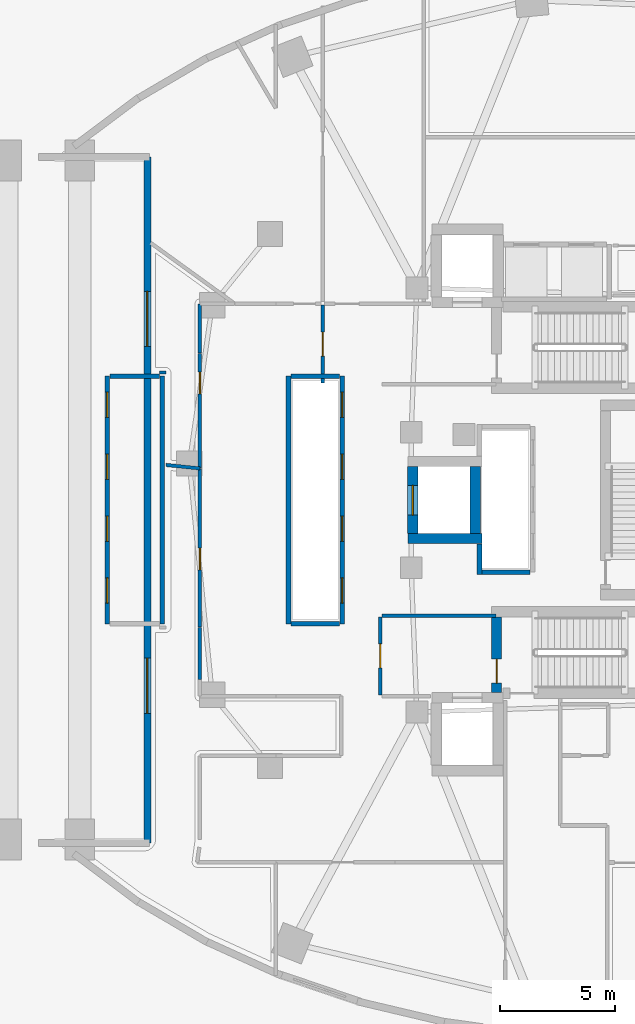
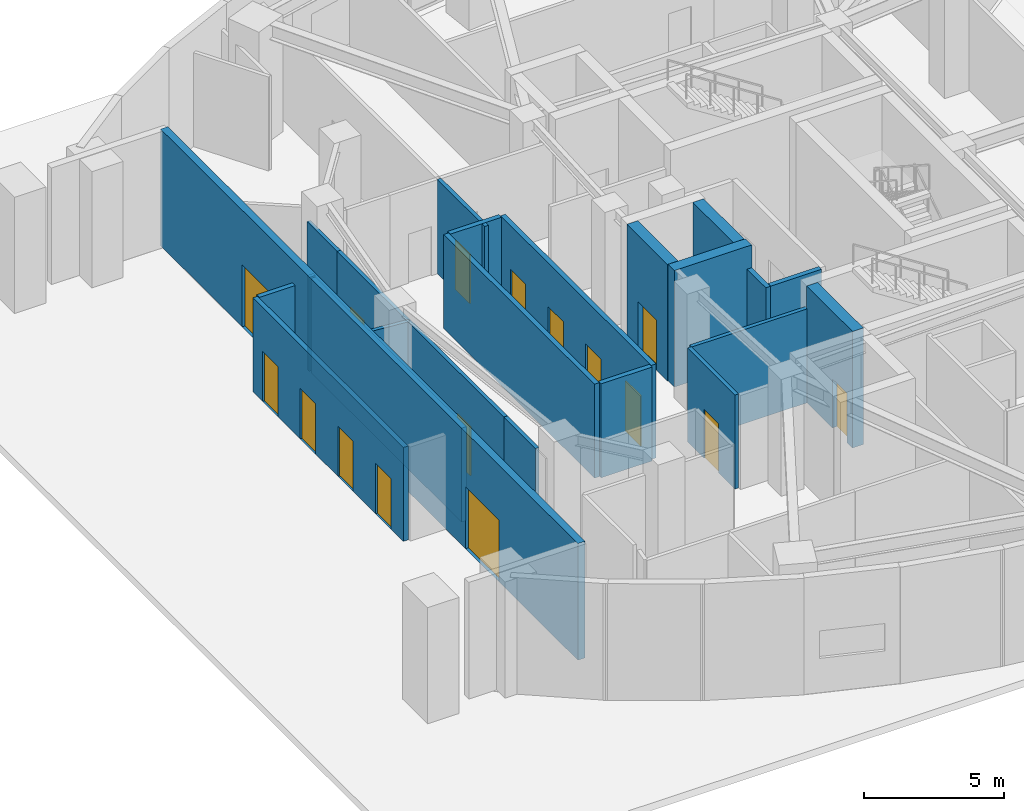
# One storey, part 18 of 28: 23 walls, 16 doors, 16 openings.
"""IFC4 building model written with IfcOpenShell, lengths in metres."""

from ifc_helpers import new_model, si_unit, direction, frame, frame_2d, origin, place, context, subcontext, project, spatial, rectangle, extrude, material, layer, layer_set, type_object, element, fill, save


model = new_model("IFC4")

# Units and contexts
model_context = context("Model", 3, precision=1e-05, world=origin(), true_north=direction((0.0, 1.0)))
body_context = subcontext(model_context, "Body", "Model", "MODEL_VIEW")
ifc_project = project(units=[si_unit("LENGTHUNIT", "METRE"), si_unit("AREAUNIT", "SQUARE_METRE"), si_unit("VOLUMEUNIT", "CUBIC_METRE"), si_unit("PLANEANGLEUNIT", "RADIAN"), si_unit("MASSUNIT", "GRAM", prefix="KILO")], contexts=[model_context])

# Site, building, storey
site_placement = place(None, origin())
site = spatial("IfcSite", under=ifc_project, at=site_placement, CompositionType="ELEMENT")
building_placement = place(site_placement, origin())
building = spatial("IfcBuilding", under=site, at=building_placement, Name="Korentha Bioscience Tower", CompositionType="ELEMENT")
storey_placement = place(building_placement, origin())
storey = spatial("IfcBuildingStorey", under=building, at=storey_placement, Name="L00", CompositionType="ELEMENT", Elevation=0.0)

# Wall, opening, door
ifc_material_1 = material(Name="Double-Stud Acoustic Gypsum", Category="gypsum")
ifc_layer_1 = layer(ifc_material_1, 0.14990234375, Name="Double-Stud Acoustic Gypsum")
ifc_layer_set_1 = layer_set([ifc_layer_1], Name="Double-Stud Acoustic Gypsum (IW-L150)")
wall_type_1 = type_object("IfcWallType", Name="Acoustic Laboratory Partition Wall 150", PredefinedType="PARTITIONING", material=ifc_layer_set_1)
wall_1_placement = place(storey_placement, frame((15.639892578125, 28.375732421875, 0.0), z_axis=(0.0, 0.0, 1.0), x_axis=(0.0, -1.0, 0.0)))
wall_1 = element("IfcWall", 1, at=wall_1_placement, inside=storey, type_object=wall_type_1, Name="L00 Ground Espresso & Bakery Cafe 01 Entrance Wall", PredefinedType="PARTITIONING", context=body_context, shape_type="SweptSolid", body=[
    extrude(rectangle(XDim=6.923583984375, YDim=0.14990234375, at=frame_2d((3.4619140625, 0.0))), origin(), (0.0, 0.0, 1.0), 4.110107421875),
])
opening_1_placement = place(wall_1_placement, frame((3.47509765625, 0.0, 0.0)))
opening_1 = element("IfcOpeningElement", 2, at=opening_1_placement, cuts=wall_1, Name="Opening ID-10L", PredefinedType="OPENING", context=body_context, shape_type="SweptSolid", body=[
    extrude(rectangle(XDim=0.949951171875, YDim=2.14990234375, at=frame_2d((0.47509765625, 1.074951171875))), frame((0.0, 0.08984375, 0.0), z_axis=(0.0, -1.0, 0.0), x_axis=(1.0, 0.0, 0.0)), (0.0, 0.0, 1.0), 0.1796875),
])
ifc_material_2 = material(Name="Phenolic Laminate Timber Core", Category="wood")
door_type_1 = type_object("IfcDoorType", Name="Laboratory Single Leaf Door 950x2150 Left", OperationType="SINGLE_SWING_LEFT", PredefinedType="DOOR", material=ifc_material_2)
door_1_placement = place(opening_1_placement, origin())
door_1 = element("IfcDoor", 3, at=door_1_placement, inside=storey, type_object=door_type_1, Name="L00 Ground Espresso & Bakery Cafe 01 Door", OperationType="SINGLE_SWING_LEFT", OverallHeight=2.14990234375, OverallWidth=0.949951171875, PredefinedType="DOOR", context=body_context, shape_type="SweptSolid", body=[
    extrude(rectangle(XDim=0.949951171875, YDim=2.14990234375, at=frame_2d((0.47509765625, 1.074951171875))), frame((0.0, 0.02490234375, 0.0), z_axis=(0.0, -1.0, 0.0), x_axis=(1.0, 0.0, 0.0)), (0.0, 0.0, 1.0), 0.050048828125),
])
fill(opening_1, door_1)

wall_2_placement = place(storey_placement, frame((15.639892578125, 33.39794921875, 0.0), z_axis=(0.0, 0.0, 1.0), x_axis=(0.0, -1.0, 0.0)))
wall_2 = element("IfcWall", 4, at=wall_2_placement, inside=storey, type_object=wall_type_1, Name="L00 Ground Espresso & Bakery Cafe 09 Entrance Wall", PredefinedType="PARTITIONING", context=body_context, shape_type="SweptSolid", body=[
    extrude(rectangle(XDim=5.011962890625, YDim=0.14990234375, at=frame_2d((2.505859375, 0.0))), origin(), (0.0, 0.0, 1.0), 4.110107421875),
])
opening_2_placement = place(wall_2_placement, frame((0.82470703125, 0.0, 0.0)))
opening_2 = element("IfcOpeningElement", 5, at=opening_2_placement, cuts=wall_2, Name="Opening ID-10L", PredefinedType="OPENING", context=body_context, shape_type="SweptSolid", body=[
    extrude(rectangle(XDim=0.949951171875, YDim=2.14990234375, at=frame_2d((0.47509765625, 1.074951171875))), frame((0.0, 0.08984375, 0.0), z_axis=(0.0, -1.0, 0.0), x_axis=(1.0, 0.0, 0.0)), (0.0, 0.0, 1.0), 0.1796875),
])
door_2_placement = place(opening_2_placement, origin())
door_2 = element("IfcDoor", 6, at=door_2_placement, inside=storey, type_object=door_type_1, Name="L00 Ground Espresso & Bakery Cafe 09 Door", OperationType="SINGLE_SWING_LEFT", OverallHeight=2.14990234375, OverallWidth=0.949951171875, PredefinedType="DOOR", context=body_context, shape_type="SweptSolid", body=[
    extrude(rectangle(XDim=0.949951171875, YDim=2.14990234375, at=frame_2d((0.47509765625, 1.074951171875))), frame((0.0, 0.02490234375, 0.0), z_axis=(0.0, -1.0, 0.0), x_axis=(1.0, 0.0, 0.0)), (0.0, 0.0, 1.0), 0.050048828125),
])
fill(opening_2, door_2)

# Walls
wall_3_placement = place(storey_placement, frame((14.16015625, 28.52880859375, 0.0), z_axis=(0.0, 0.0, 1.0), x_axis=(0.994708578353, -0.102736771168, 0.0)))
element("IfcWall", 7, at=wall_3_placement, inside=storey, type_object=wall_type_1, Name="L00 Interior Partition 023", PredefinedType="PARTITIONING", context=body_context, shape_type="SweptSolid", body=[
    extrude(rectangle(XDim=1.487548828125, YDim=0.14990234375, at=frame_2d((0.74365234375, 0.0))), origin(), (0.0, 0.0, 1.0), 4.110107421875),
])
wall_4_placement = place(storey_placement, frame((15.639892578125, 21.44775390625, 0.0), z_axis=(0.0, 0.0, 1.0), x_axis=(0.0, -1.0, 0.0)))
element("IfcWall", 8, at=wall_4_placement, inside=storey, type_object=wall_type_1, Name="L00 Interior Partition 024", PredefinedType="PARTITIONING", context=body_context, shape_type="SweptSolid", body=[
    extrude(rectangle(XDim=2.26806640625, YDim=0.14990234375, at=frame_2d((1.134033203125, 0.0))), origin(), (0.0, 0.0, 1.0), 4.110107421875),
])
wall_5_placement = place(storey_placement, frame((15.639892578125, 35.5458984375, 0.0), z_axis=(0.0, 0.0, 1.0), x_axis=(0.0, -1.0, 0.0)))
element("IfcWall", 9, at=wall_5_placement, inside=storey, type_object=wall_type_1, Name="L00 Interior Partition 049", PredefinedType="PARTITIONING", context=body_context, shape_type="SweptSolid", body=[
    extrude(rectangle(XDim=2.143798828125, YDim=0.14990234375, at=frame_2d((1.07177734375, 0.0))), origin(), (0.0, 0.0, 1.0), 4.110107421875),
])
wall_6_placement = place(storey_placement, frame((14.14990234375, 32.56005859375, 0.0), z_axis=(0.0, 0.0, 1.0), x_axis=(-1.0, 0.0, 0.0)))
element("IfcWall", 10, at=wall_6_placement, inside=storey, type_object=wall_type_1, Name="L00 Interior Partition 050", PredefinedType="PARTITIONING", context=body_context, shape_type="SweptSolid", body=[
    extrude(rectangle(XDim=0.27001953125, YDim=0.14990234375, at=frame_2d((0.135009765625, 0.0))), origin(), (0.0, 0.0, 1.0), 4.110107421875),
])

# Wall, opening, door
ifc_material_3 = material(Name="Gypsum-Clad Steel Stud", Category="steel")
ifc_layer_2 = layer(ifc_material_3, 0.159912109375, Name="Gypsum-Clad Steel Stud")
ifc_layer_set_2 = layer_set([ifc_layer_2], Name="Gypsum-Clad Steel Stud (IW-C160)")
wall_type_2 = type_object("IfcWallType", Name="Fire-Rated Corridor Partition Wall 160", PredefinedType="PARTITIONING", material=ifc_layer_set_2)
wall_7_placement = place(storey_placement, frame((21.0, 32.10009765625, 0.0), z_axis=(0.0, 0.0, 1.0), x_axis=(0.0, 1.0, 0.0)))
wall_7 = element("IfcWall", 11, at=wall_7_placement, inside=storey, type_object=wall_type_2, Name="L00 FFLN-CW Rated Enclosure Wall", PredefinedType="PARTITIONING", context=body_context, shape_type="SweptSolid", body=[
    extrude(rectangle(XDim=3.39990234375, YDim=0.159912109375, at=frame_2d((1.699951171875, 0.0))), origin(), (0.0, 0.0, 1.0), 4.110107421875),
])
opening_3_placement = place(wall_7_placement, frame((1.175048828125, 0.0, 0.0)))
opening_3 = element("IfcOpeningElement", 12, at=opening_3_placement, cuts=wall_7, Name="Opening FD-90L", PredefinedType="OPENING", context=body_context, shape_type="SweptSolid", body=[
    extrude(rectangle(XDim=1.050048828125, YDim=2.14990234375, at=frame_2d((0.52490234375, 1.074951171875))), frame((0.0, 0.0947265625, 0.0), z_axis=(0.0, -1.0, 0.0), x_axis=(1.0, 0.0, 0.0)), (0.0, 0.0, 1.0), 0.189697265625),
])
ifc_material_4 = material(Name="Powder-Coated Fire-Rated Steel", Category="steel")
door_type_2 = type_object("IfcDoorType", Name="Stairwell Fire Exit Door 1050x2150 Left", OperationType="SINGLE_SWING_LEFT", PredefinedType="DOOR", material=ifc_material_4)
door_3_placement = place(opening_3_placement, origin())
door_3 = element("IfcDoor", 13, at=door_3_placement, inside=storey, type_object=door_type_2, Name="L00 North Firefighting Lobby Door", OperationType="SINGLE_SWING_LEFT", OverallHeight=2.14990234375, OverallWidth=1.050048828125, PredefinedType="DOOR", context=body_context, shape_type="SweptSolid", body=[
    extrude(rectangle(XDim=1.050048828125, YDim=2.14990234375, at=frame_2d((0.52490234375, 1.074951171875))), frame((0.0, 0.02490234375, 0.0), z_axis=(0.0, -1.0, 0.0), x_axis=(1.0, 0.0, 0.0)), (0.0, 0.0, 1.0), 0.050048828125),
])
fill(opening_3, door_3)

wall_8_placement = place(storey_placement, frame((23.5, 18.5, 0.0), z_axis=(0.0, 0.0, 1.0), x_axis=(0.0, 1.0, 0.0)))
wall_8 = element("IfcWall", 14, at=wall_8_placement, inside=storey, type_object=wall_type_2, Name="L00 FFLS-CW Rated Enclosure Wall", PredefinedType="PARTITIONING", context=body_context, shape_type="SweptSolid", body=[
    extrude(rectangle(XDim=3.39990234375, YDim=0.159912109375, at=frame_2d((1.699951171875, 0.0))), origin(), (0.0, 0.0, 1.0), 4.110107421875),
])
opening_4_placement = place(wall_8_placement, frame((1.175048828125, 0.0, 0.0)))
opening_4 = element("IfcOpeningElement", 15, at=opening_4_placement, cuts=wall_8, Name="Opening FD-90L", PredefinedType="OPENING", context=body_context, shape_type="SweptSolid", body=[
    extrude(rectangle(XDim=1.050048828125, YDim=2.14990234375, at=frame_2d((0.52490234375, 1.074951171875))), frame((0.0, 0.0947265625, 0.0), z_axis=(0.0, -1.0, 0.0), x_axis=(1.0, 0.0, 0.0)), (0.0, 0.0, 1.0), 0.189697265625),
])
door_4_placement = place(opening_4_placement, origin())
door_4 = element("IfcDoor", 16, at=door_4_placement, inside=storey, type_object=door_type_2, Name="L00 South Firefighting Lobby Door", OperationType="SINGLE_SWING_LEFT", OverallHeight=2.14990234375, OverallWidth=1.050048828125, PredefinedType="DOOR", context=body_context, shape_type="SweptSolid", body=[
    extrude(rectangle(XDim=1.050048828125, YDim=2.14990234375, at=frame_2d((0.52490234375, 1.074951171875))), frame((0.0, 0.02490234375, 0.0), z_axis=(0.0, -1.0, 0.0), x_axis=(1.0, 0.0, 0.0)), (0.0, 0.0, 1.0), 0.050048828125),
])
fill(opening_4, door_4)

# Wall
wall_9_placement = place(storey_placement, frame((23.580078125, 21.949951171875, 0.0), z_axis=(0.0, 0.0, 1.0), x_axis=(1.0, 0.0, 0.0)))
element("IfcWall", 17, at=wall_9_placement, inside=storey, type_object=wall_type_2, Name="L00 Firefighting Lobby Return Wall FFLS-N", PredefinedType="PARTITIONING", context=body_context, shape_type="SweptSolid", body=[
    extrude(rectangle(XDim=4.969970703125, YDim=0.159912109375, at=frame_2d((2.48486328125, 0.0))), origin(), (0.0, 0.0, 1.0), 4.110107421875),
])

# Wall, openings, doors
ifc_material_5 = material(Name="Honed Limestone Precast Concrete C40", Category="masonry")
ifc_layer_3 = layer(ifc_material_5, 0.300048828125, Name="Honed Limestone Precast Concrete C40")
ifc_layer_set_3 = layer_set([ifc_layer_3], Name="Honed Limestone Precast Concrete C40 (EW-ST300)")
wall_type_3 = type_object("IfcWallType", Name="Honed Limestone Cavity Spandrel Wall 300", PredefinedType="STANDARD", material=ifc_layer_set_3)
wall_10_placement = place(storey_placement, frame((13.35009765625, 12.050048828125, 0.0), z_axis=(0.0, 0.0, 1.0), x_axis=(0.0, 1.0, 0.0)))
wall_10 = element("IfcWall", 18, at=wall_10_placement, inside=storey, type_object=wall_type_3, Name="L00 Arch Plaza Recess East Enclosure Wall", PredefinedType="STANDARD", context=body_context, shape_type="SweptSolid", body=[
    extrude(rectangle(XDim=29.89990234375, YDim=0.300048828125, at=frame_2d((14.949951171875, 0.0))), origin(), (0.0, 0.0, 1.0), 5.10009765625),
])
opening_5_placement = place(wall_10_placement, frame((5.64990234375, 0.0, 0.0)))
opening_5 = element("IfcOpeningElement", 19, at=opening_5_placement, cuts=wall_10, Name="Opening ED-24", PredefinedType="OPENING", context=body_context, shape_type="SweptSolid", body=[
    extrude(rectangle(XDim=2.39990234375, YDim=2.699951171875, at=frame_2d((1.199951171875, 1.35009765625))), frame((0.0, 0.1650390625, 0.0), z_axis=(0.0, -1.0, 0.0), x_axis=(1.0, 0.0, 0.0)), (0.0, 0.0, 1.0), 0.329833984375),
])
opening_6_placement = place(wall_10_placement, frame((21.64990234375, 0.0, 0.0)))
opening_6 = element("IfcOpeningElement", 20, at=opening_6_placement, cuts=wall_10, Name="Opening ED-24", PredefinedType="OPENING", context=body_context, shape_type="SweptSolid", body=[
    extrude(rectangle(XDim=2.39990234375, YDim=2.699951171875, at=frame_2d((1.199951171875, 1.35009765625))), frame((0.0, 0.1650390625, 0.0), z_axis=(0.0, -1.0, 0.0), x_axis=(1.0, 0.0, 0.0)), (0.0, 0.0, 1.0), 0.329833984375),
])
ifc_material_6 = material(Name="Thermally Broken Glazed Aluminium", Category="aluminium")
door_type_3 = type_object("IfcDoorType", Name="Glazed Double Entrance Door 2400x2700", OperationType="DOUBLE_DOOR_SINGLE_SWING", PredefinedType="DOOR", material=ifc_material_6)
door_5_placement = place(opening_5_placement, origin())
door_5 = element("IfcDoor", 21, at=door_5_placement, inside=storey, type_object=door_type_3, Name="L00 Arch Forecourt Main Entrance Door 1", OperationType="DOUBLE_DOOR_SINGLE_SWING", OverallHeight=2.699951171875, OverallWidth=2.39990234375, PredefinedType="DOOR", context=body_context, shape_type="SweptSolid", body=[
    extrude(rectangle(XDim=2.39990234375, YDim=2.699951171875, at=frame_2d((1.199951171875, 1.35009765625))), frame((0.0, 0.02490234375, 0.0), z_axis=(0.0, -1.0, 0.0), x_axis=(1.0, 0.0, 0.0)), (0.0, 0.0, 1.0), 0.050048828125),
])
fill(opening_5, door_5)
door_6_placement = place(opening_6_placement, origin())
door_6 = element("IfcDoor", 22, at=door_6_placement, inside=storey, type_object=door_type_3, Name="L00 Arch Forecourt Main Entrance Door 2", OperationType="DOUBLE_DOOR_SINGLE_SWING", OverallHeight=2.699951171875, OverallWidth=2.39990234375, PredefinedType="DOOR", context=body_context, shape_type="SweptSolid", body=[
    extrude(rectangle(XDim=2.39990234375, YDim=2.699951171875, at=frame_2d((1.199951171875, 1.35009765625))), frame((0.0, 0.02490234375, 0.0), z_axis=(0.0, -1.0, 0.0), x_axis=(1.0, 0.0, 0.0)), (0.0, 0.0, 1.0), 0.050048828125),
])
fill(opening_6, door_6)

ifc_material_7 = material(Name="Autoclaved Aerated Concrete Block C25", Category="concrete")
ifc_layer_4 = layer(ifc_material_7, 0.199951171875, Name="Autoclaved Aerated Concrete Block C25")
ifc_layer_set_4 = layer_set([ifc_layer_4], Name="Autoclaved Aerated Concrete Block C25 (IW-S200)")
wall_type_4 = type_object("IfcWallType", Name="Lift and Riser Shaft Enclosure Wall 200", PredefinedType="PARTITIONING", material=ifc_layer_set_4)
wall_11_placement = place(storey_placement, frame((11.60009765625, 21.60009765625, 0.0), z_axis=(0.0, 0.0, 1.0), x_axis=(0.0, 1.0, 0.0)))
wall_11 = element("IfcWall", 23, at=wall_11_placement, inside=storey, type_object=wall_type_4, Name="L00 Lift Bank LOW Shaft Wall -X", PredefinedType="PARTITIONING", context=body_context, shape_type="SweptSolid", body=[
    extrude(rectangle(XDim=10.7998046875, YDim=0.199951171875, at=frame_2d((5.39990234375, 0.0))), origin(), (0.0, 0.0, 1.0), 4.110107421875),
])
opening_7_placement = place(wall_11_placement, frame((0.89990234375, 0.0, 0.0)))
opening_7 = element("IfcOpeningElement", 24, at=opening_7_placement, cuts=wall_11, Name="Opening LD-11", PredefinedType="OPENING", context=body_context, shape_type="SweptSolid", body=[
    extrude(rectangle(XDim=1.10009765625, YDim=2.199951171875, at=frame_2d((0.550048828125, 1.10009765625))), frame((0.0, 0.11474609375, 0.0), z_axis=(0.0, -1.0, 0.0), x_axis=(1.0, 0.0, 0.0)), (0.0, 0.0, 1.0), 0.229736328125),
])
opening_8_placement = place(wall_11_placement, frame((3.60009765625, 0.0, 0.0)))
opening_8 = element("IfcOpeningElement", 25, at=opening_8_placement, cuts=wall_11, Name="Opening LD-11", PredefinedType="OPENING", context=body_context, shape_type="SweptSolid", body=[
    extrude(rectangle(XDim=1.10009765625, YDim=2.199951171875, at=frame_2d((0.550048828125, 1.10009765625))), frame((0.0, 0.11474609375, 0.0), z_axis=(0.0, -1.0, 0.0), x_axis=(1.0, 0.0, 0.0)), (0.0, 0.0, 1.0), 0.229736328125),
])
opening_9_placement = place(wall_11_placement, frame((6.300048828125, 0.0, 0.0)))
opening_9 = element("IfcOpeningElement", 26, at=opening_9_placement, cuts=wall_11, Name="Opening LD-11", PredefinedType="OPENING", context=body_context, shape_type="SweptSolid", body=[
    extrude(rectangle(XDim=1.10009765625, YDim=2.199951171875, at=frame_2d((0.550048828125, 1.10009765625))), frame((0.0, 0.11474609375, 0.0), z_axis=(0.0, -1.0, 0.0), x_axis=(1.0, 0.0, 0.0)), (0.0, 0.0, 1.0), 0.229736328125),
])
opening_10_placement = place(wall_11_placement, frame((9.0, 0.0, 0.0)))
opening_10 = element("IfcOpeningElement", 27, at=opening_10_placement, cuts=wall_11, Name="Opening LD-11", PredefinedType="OPENING", context=body_context, shape_type="SweptSolid", body=[
    extrude(rectangle(XDim=1.10009765625, YDim=2.199951171875, at=frame_2d((0.550048828125, 1.10009765625))), frame((0.0, 0.11474609375, 0.0), z_axis=(0.0, -1.0, 0.0), x_axis=(1.0, 0.0, 0.0)), (0.0, 0.0, 1.0), 0.229736328125),
])
ifc_material_8 = material(Name="Brushed Stainless Steel 304", Category="steel")
door_type_4 = type_object("IfcDoorType", Name="Passenger Lift Sliding Landing Door 1100x2200", OperationType="DOUBLE_DOOR_SLIDING", PredefinedType="DOOR", material=ifc_material_8)
door_7_placement = place(opening_7_placement, origin())
door_7 = element("IfcDoor", 28, at=door_7_placement, inside=storey, type_object=door_type_4, Name="L00 PL-L1 Sliding Lift Landing Door", OperationType="DOUBLE_DOOR_SLIDING", OverallHeight=2.199951171875, OverallWidth=1.10009765625, PredefinedType="DOOR", context=body_context, shape_type="SweptSolid", body=[
    extrude(rectangle(XDim=1.10009765625, YDim=2.199951171875, at=frame_2d((0.550048828125, 1.10009765625))), frame((0.0, 0.02490234375, 0.0), z_axis=(0.0, -1.0, 0.0), x_axis=(1.0, 0.0, 0.0)), (0.0, 0.0, 1.0), 0.050048828125),
])
fill(opening_7, door_7)
door_8_placement = place(opening_8_placement, origin())
door_8 = element("IfcDoor", 29, at=door_8_placement, inside=storey, type_object=door_type_4, Name="L00 PL-L2 Sliding Lift Landing Door", OperationType="DOUBLE_DOOR_SLIDING", OverallHeight=2.199951171875, OverallWidth=1.10009765625, PredefinedType="DOOR", context=body_context, shape_type="SweptSolid", body=[
    extrude(rectangle(XDim=1.10009765625, YDim=2.199951171875, at=frame_2d((0.550048828125, 1.10009765625))), frame((0.0, 0.02490234375, 0.0), z_axis=(0.0, -1.0, 0.0), x_axis=(1.0, 0.0, 0.0)), (0.0, 0.0, 1.0), 0.050048828125),
])
fill(opening_8, door_8)
door_9_placement = place(opening_9_placement, origin())
door_9 = element("IfcDoor", 30, at=door_9_placement, inside=storey, type_object=door_type_4, Name="L00 PL-L3 Sliding Lift Landing Door", OperationType="DOUBLE_DOOR_SLIDING", OverallHeight=2.199951171875, OverallWidth=1.10009765625, PredefinedType="DOOR", context=body_context, shape_type="SweptSolid", body=[
    extrude(rectangle(XDim=1.10009765625, YDim=2.199951171875, at=frame_2d((0.550048828125, 1.10009765625))), frame((0.0, 0.02490234375, 0.0), z_axis=(0.0, -1.0, 0.0), x_axis=(1.0, 0.0, 0.0)), (0.0, 0.0, 1.0), 0.050048828125),
])
fill(opening_9, door_9)
door_10_placement = place(opening_10_placement, origin())
door_10 = element("IfcDoor", 31, at=door_10_placement, inside=storey, type_object=door_type_4, Name="L00 PL-L4 Sliding Lift Landing Door", OperationType="DOUBLE_DOOR_SLIDING", OverallHeight=2.199951171875, OverallWidth=1.10009765625, PredefinedType="DOOR", context=body_context, shape_type="SweptSolid", body=[
    extrude(rectangle(XDim=1.10009765625, YDim=2.199951171875, at=frame_2d((0.550048828125, 1.10009765625))), frame((0.0, 0.02490234375, 0.0), z_axis=(0.0, -1.0, 0.0), x_axis=(1.0, 0.0, 0.0)), (0.0, 0.0, 1.0), 0.050048828125),
])
fill(opening_10, door_10)

# Walls
wall_12_placement = place(storey_placement, frame((14.0, 21.60009765625, 0.0), z_axis=(0.0, 0.0, 1.0), x_axis=(0.0, 1.0, 0.0)))
element("IfcWall", 32, at=wall_12_placement, inside=storey, type_object=wall_type_4, Name="L00 Lift Bank LOW Shaft Wall +X", PredefinedType="PARTITIONING", context=body_context, shape_type="SweptSolid", body=[
    extrude(rectangle(XDim=10.7998046875, YDim=0.199951171875, at=frame_2d((5.39990234375, 0.0))), origin(), (0.0, 0.0, 1.0), 4.110107421875),
])
wall_13_placement = place(storey_placement, frame((11.719970703125, 32.39990234375, 0.0), z_axis=(0.0, 0.0, 1.0), x_axis=(1.0, 0.0, 0.0)))
element("IfcWall", 33, at=wall_13_placement, inside=storey, type_object=wall_type_4, Name="L00 Lift Bank LOW Shaft Wall +Y", PredefinedType="PARTITIONING", context=body_context, shape_type="SweptSolid", body=[
    extrude(rectangle(XDim=2.159912109375, YDim=0.199951171875, at=frame_2d((1.080078125, 0.0))), origin(), (0.0, 0.0, 1.0), 4.110107421875),
])
wall_14_placement = place(storey_placement, frame((19.5, 21.60009765625, 0.0), z_axis=(0.0, 0.0, 1.0), x_axis=(0.0, 1.0, 0.0)))
element("IfcWall", 34, at=wall_14_placement, inside=storey, type_object=wall_type_4, Name="L00 Lift Bank MID Shaft Wall -X", PredefinedType="PARTITIONING", context=body_context, shape_type="SweptSolid", body=[
    extrude(rectangle(XDim=10.7998046875, YDim=0.199951171875, at=frame_2d((5.39990234375, 0.0))), origin(), (0.0, 0.0, 1.0), 4.110107421875),
])

# Wall, openings, doors
wall_15_placement = place(storey_placement, frame((21.85009765625, 21.60009765625, 0.0), z_axis=(0.0, 0.0, 1.0), x_axis=(0.0, 1.0, 0.0)))
wall_15 = element("IfcWall", 35, at=wall_15_placement, inside=storey, type_object=wall_type_4, Name="L00 Lift Bank MID Shaft Wall +X", PredefinedType="PARTITIONING", context=body_context, shape_type="SweptSolid", body=[
    extrude(rectangle(XDim=10.7998046875, YDim=0.199951171875, at=frame_2d((5.39990234375, 0.0))), origin(), (0.0, 0.0, 1.0), 4.110107421875),
])
opening_11_placement = place(wall_15_placement, frame((0.89990234375, 0.0, 0.0)))
opening_11 = element("IfcOpeningElement", 36, at=opening_11_placement, cuts=wall_15, Name="Opening LD-11", PredefinedType="OPENING", context=body_context, shape_type="SweptSolid", body=[
    extrude(rectangle(XDim=1.10009765625, YDim=2.199951171875, at=frame_2d((0.550048828125, 1.10009765625))), frame((0.0, 0.11474609375, 0.0), z_axis=(0.0, -1.0, 0.0), x_axis=(1.0, 0.0, 0.0)), (0.0, 0.0, 1.0), 0.229736328125),
])
opening_12_placement = place(wall_15_placement, frame((3.60009765625, 0.0, 0.0)))
opening_12 = element("IfcOpeningElement", 37, at=opening_12_placement, cuts=wall_15, Name="Opening LD-11", PredefinedType="OPENING", context=body_context, shape_type="SweptSolid", body=[
    extrude(rectangle(XDim=1.10009765625, YDim=2.199951171875, at=frame_2d((0.550048828125, 1.10009765625))), frame((0.0, 0.11474609375, 0.0), z_axis=(0.0, -1.0, 0.0), x_axis=(1.0, 0.0, 0.0)), (0.0, 0.0, 1.0), 0.229736328125),
])
opening_13_placement = place(wall_15_placement, frame((6.300048828125, 0.0, 0.0)))
opening_13 = element("IfcOpeningElement", 38, at=opening_13_placement, cuts=wall_15, Name="Opening LD-11", PredefinedType="OPENING", context=body_context, shape_type="SweptSolid", body=[
    extrude(rectangle(XDim=1.10009765625, YDim=2.199951171875, at=frame_2d((0.550048828125, 1.10009765625))), frame((0.0, 0.11474609375, 0.0), z_axis=(0.0, -1.0, 0.0), x_axis=(1.0, 0.0, 0.0)), (0.0, 0.0, 1.0), 0.229736328125),
])
opening_14_placement = place(wall_15_placement, frame((9.0, 0.0, 0.0)))
opening_14 = element("IfcOpeningElement", 39, at=opening_14_placement, cuts=wall_15, Name="Opening LD-11", PredefinedType="OPENING", context=body_context, shape_type="SweptSolid", body=[
    extrude(rectangle(XDim=1.10009765625, YDim=2.199951171875, at=frame_2d((0.550048828125, 1.10009765625))), frame((0.0, 0.11474609375, 0.0), z_axis=(0.0, -1.0, 0.0), x_axis=(1.0, 0.0, 0.0)), (0.0, 0.0, 1.0), 0.229736328125),
])
door_11_placement = place(opening_11_placement, origin())
door_11 = element("IfcDoor", 40, at=door_11_placement, inside=storey, type_object=door_type_4, Name="L00 PL-M1 Sliding Lift Landing Door", OperationType="DOUBLE_DOOR_SLIDING", OverallHeight=2.199951171875, OverallWidth=1.10009765625, PredefinedType="DOOR", context=body_context, shape_type="SweptSolid", body=[
    extrude(rectangle(XDim=1.10009765625, YDim=2.199951171875, at=frame_2d((0.550048828125, 1.10009765625))), frame((0.0, 0.02490234375, 0.0), z_axis=(0.0, -1.0, 0.0), x_axis=(1.0, 0.0, 0.0)), (0.0, 0.0, 1.0), 0.050048828125),
])
fill(opening_11, door_11)
door_12_placement = place(opening_12_placement, origin())
door_12 = element("IfcDoor", 41, at=door_12_placement, inside=storey, type_object=door_type_4, Name="L00 PL-M2 Sliding Lift Landing Door", OperationType="DOUBLE_DOOR_SLIDING", OverallHeight=2.199951171875, OverallWidth=1.10009765625, PredefinedType="DOOR", context=body_context, shape_type="SweptSolid", body=[
    extrude(rectangle(XDim=1.10009765625, YDim=2.199951171875, at=frame_2d((0.550048828125, 1.10009765625))), frame((0.0, 0.02490234375, 0.0), z_axis=(0.0, -1.0, 0.0), x_axis=(1.0, 0.0, 0.0)), (0.0, 0.0, 1.0), 0.050048828125),
])
fill(opening_12, door_12)
door_13_placement = place(opening_13_placement, origin())
door_13 = element("IfcDoor", 42, at=door_13_placement, inside=storey, type_object=door_type_4, Name="L00 PL-M3 Sliding Lift Landing Door", OperationType="DOUBLE_DOOR_SLIDING", OverallHeight=2.199951171875, OverallWidth=1.10009765625, PredefinedType="DOOR", context=body_context, shape_type="SweptSolid", body=[
    extrude(rectangle(XDim=1.10009765625, YDim=2.199951171875, at=frame_2d((0.550048828125, 1.10009765625))), frame((0.0, 0.02490234375, 0.0), z_axis=(0.0, -1.0, 0.0), x_axis=(1.0, 0.0, 0.0)), (0.0, 0.0, 1.0), 0.050048828125),
])
fill(opening_13, door_13)
door_14_placement = place(opening_14_placement, origin())
door_14 = element("IfcDoor", 43, at=door_14_placement, inside=storey, type_object=door_type_4, Name="L00 PL-M4 Sliding Lift Landing Door", OperationType="DOUBLE_DOOR_SLIDING", OverallHeight=2.199951171875, OverallWidth=1.10009765625, PredefinedType="DOOR", context=body_context, shape_type="SweptSolid", body=[
    extrude(rectangle(XDim=1.10009765625, YDim=2.199951171875, at=frame_2d((0.550048828125, 1.10009765625))), frame((0.0, 0.02490234375, 0.0), z_axis=(0.0, -1.0, 0.0), x_axis=(1.0, 0.0, 0.0)), (0.0, 0.0, 1.0), 0.050048828125),
])
fill(opening_14, door_14)

# Walls
for number, where, z_axis, x_axis, name in (
    (44, (19.6201171875, 21.60009765625, 0.0), (0.0, 0.0, 1.0), (1.0, 0.0, 0.0), "L00 Lift Bank MID Shaft Wall -Y"),
    (45, (19.6201171875, 32.39990234375, 0.0), (0.0, 0.0, 1.0), (1.0, 0.0, 0.0), "L00 Lift Bank MID Shaft Wall +Y"),
):
    element("IfcWall", number, at=place(storey_placement, frame(where, z_axis=z_axis, x_axis=x_axis)), inside=storey, type_object=wall_type_4, Name=name, PredefinedType="PARTITIONING", context=body_context, shape_type="SweptSolid", body=[
        extrude(rectangle(XDim=2.10986328125, YDim=0.199951171875, at=frame_2d((1.054931640625, 0.0))), origin(), (0.0, 0.0, 1.0), 4.110107421875),
    ])
wall_16_placement = place(storey_placement, frame((27.830078125, 23.75, 0.0), z_axis=(0.0, 0.0, 1.0), x_axis=(0.0, 1.0, 0.0)))
element("IfcWall", 46, at=wall_16_placement, inside=storey, type_object=wall_type_4, Name="L00 Lift Bank HIGH Shaft Wall -XS", PredefinedType="PARTITIONING", context=body_context, shape_type="SweptSolid", body=[
    extrude(rectangle(XDim=1.341064453125, YDim=0.199951171875, at=frame_2d((0.67041015625, 0.0))), origin(), (0.0, 0.0, 1.0), 4.110107421875),
])
wall_17_placement = place(storey_placement, frame((27.93408203125, 23.85009765625, 0.0), z_axis=(0.0, 0.0, 1.0), x_axis=(1.0, 0.0, 0.0)))
element("IfcWall", 47, at=wall_17_placement, inside=storey, type_object=wall_type_4, Name="L00 Lift Bank HIGH Shaft Wall -Y", PredefinedType="PARTITIONING", context=body_context, shape_type="SweptSolid", body=[
    extrude(rectangle(XDim=2.095947265625, YDim=0.199951171875, at=frame_2d((1.0478515625, 0.0))), origin(), (0.0, 0.0, 1.0), 4.110107421875),
])

# Wall, opening, door
ifc_material_9 = material(Name="Concrete C80", Category="concrete")
ifc_layer_5 = layer(ifc_material_9, 0.449951171875, Name="Concrete C80")
ifc_layer_set_5 = layer_set([ifc_layer_5], Name="Concrete C80 (CW-C80)")
wall_type_5 = type_object("IfcWallType", Name="Lower Core Shear Wall 450", PredefinedType="SHEAR", material=ifc_layer_set_5)
wall_18_placement = place(storey_placement, frame((28.574951171875, 18.60693359375, 0.0), z_axis=(0.0, 0.0, 1.0), x_axis=(0.0, 1.0, 0.0)))
wall_18 = element("IfcWall", 48, at=wall_18_placement, inside=storey, type_object=wall_type_5, Name="L00 Core Shear Wall ST2-W", PredefinedType="SHEAR", context=body_context, shape_type="SweptSolid", body=[
    extrude(rectangle(XDim=3.282958984375, YDim=0.449951171875, at=frame_2d((1.6416015625, 0.0))), origin(), (0.0, 0.0, 1.0), 5.10009765625),
])
opening_15_placement = place(wall_18_placement, frame((0.403076171875, 0.0, 0.0)))
opening_15 = element("IfcOpeningElement", 49, at=opening_15_placement, cuts=wall_18, Name="Opening FD-90L", PredefinedType="OPENING", context=body_context, shape_type="SweptSolid", body=[
    extrude(rectangle(XDim=1.050048828125, YDim=2.14990234375, at=frame_2d((0.52490234375, 1.074951171875))), frame((0.0, 0.23974609375, 0.0), z_axis=(0.0, -1.0, 0.0), x_axis=(1.0, 0.0, 0.0)), (0.0, 0.0, 1.0), 0.479736328125),
])
door_15_placement = place(opening_15_placement, origin())
door_15 = element("IfcDoor", 50, at=door_15_placement, inside=storey, type_object=door_type_2, Name="L00 ST-2 Fire Exit Stair Door", OperationType="SINGLE_SWING_LEFT", OverallHeight=2.14990234375, OverallWidth=1.050048828125, PredefinedType="DOOR", context=body_context, shape_type="SweptSolid", body=[
    extrude(rectangle(XDim=1.050048828125, YDim=2.14990234375, at=frame_2d((0.52490234375, 1.074951171875))), frame((0.0, 0.02490234375, 0.0), z_axis=(0.0, -1.0, 0.0), x_axis=(1.0, 0.0, 0.0)), (0.0, 0.0, 1.0), 0.050048828125),
])
fill(opening_15, door_15)

# Wall
wall_19_placement = place(storey_placement, frame((24.719970703125, 25.320068359375, 0.0), z_axis=(0.0, 0.0, 1.0), x_axis=(1.0, 0.0, 0.0)))
element("IfcWall", 51, at=wall_19_placement, inside=storey, type_object=wall_type_5, Name="L00 Core Shear Wall SVL1-S", PredefinedType="SHEAR", context=body_context, shape_type="SweptSolid", body=[
    extrude(rectangle(XDim=3.2099609375, YDim=0.449951171875, at=frame_2d((1.60498046875, 0.0))), origin(), (0.0, 0.0, 1.0), 5.10009765625),
])

# Wall, opening, door
wall_20_placement = place(storey_placement, frame((24.919921875, 25.547119140625, 0.0), z_axis=(0.0, 0.0, 1.0), x_axis=(0.0, 1.0, 0.0)))
wall_20 = element("IfcWall", 52, at=wall_20_placement, inside=storey, type_object=wall_type_5, Name="L00 Core Shear Wall SVL1-W", PredefinedType="SHEAR", context=body_context, shape_type="SweptSolid", body=[
    extrude(rectangle(XDim=2.90576171875, YDim=0.449951171875, at=frame_2d((1.452880859375, 0.0))), origin(), (0.0, 0.0, 1.0), 5.10009765625),
])
opening_16_placement = place(wall_20_placement, frame((0.7900390625, 0.0, 0.0)))
opening_16 = element("IfcOpeningElement", 53, at=opening_16_placement, cuts=wall_20, Name="Opening LD-13", PredefinedType="OPENING", context=body_context, shape_type="SweptSolid", body=[
    extrude(rectangle(XDim=1.300048828125, YDim=2.199951171875, at=frame_2d((0.64990234375, 1.10009765625))), frame((0.0, 0.23974609375, 0.0), z_axis=(0.0, -1.0, 0.0), x_axis=(1.0, 0.0, 0.0)), (0.0, 0.0, 1.0), 0.479736328125),
])
ifc_material_10 = material(Name="Brushed Stainless Steel 316", Category="steel")
door_type_5 = type_object("IfcDoorType", Name="Service & Firefighting Lift Landing Door 1300x2300", OperationType="DOUBLE_DOOR_SLIDING", PredefinedType="DOOR", material=ifc_material_10)
door_16_placement = place(opening_16_placement, origin())
door_16 = element("IfcDoor", 54, at=door_16_placement, inside=storey, type_object=door_type_5, Name="L00 SVL-1 Sliding Lift Landing Door", OperationType="DOUBLE_DOOR_SLIDING", OverallHeight=2.199951171875, OverallWidth=1.300048828125, PredefinedType="DOOR", context=body_context, shape_type="SweptSolid", body=[
    extrude(rectangle(XDim=1.300048828125, YDim=2.199951171875, at=frame_2d((0.64990234375, 1.10009765625))), frame((0.0, 0.02490234375, 0.0), z_axis=(0.0, -1.0, 0.0), x_axis=(1.0, 0.0, 0.0)), (0.0, 0.0, 1.0), 0.050048828125),
])
fill(opening_16, door_16)

# Wall
wall_21_placement = place(storey_placement, frame((27.64990234375, 25.547119140625, 0.0), z_axis=(0.0, 0.0, 1.0), x_axis=(0.0, 1.0, 0.0)))
element("IfcWall", 55, at=wall_21_placement, inside=storey, type_object=wall_type_5, Name="L00 Core Shear Wall SVL1-E", PredefinedType="SHEAR", context=body_context, shape_type="SweptSolid", body=[
    extrude(rectangle(XDim=2.90576171875, YDim=0.449951171875, at=frame_2d((1.452880859375, 0.0))), origin(), (0.0, 0.0, 1.0), 5.10009765625),
])

save(model, "model.ifc")
